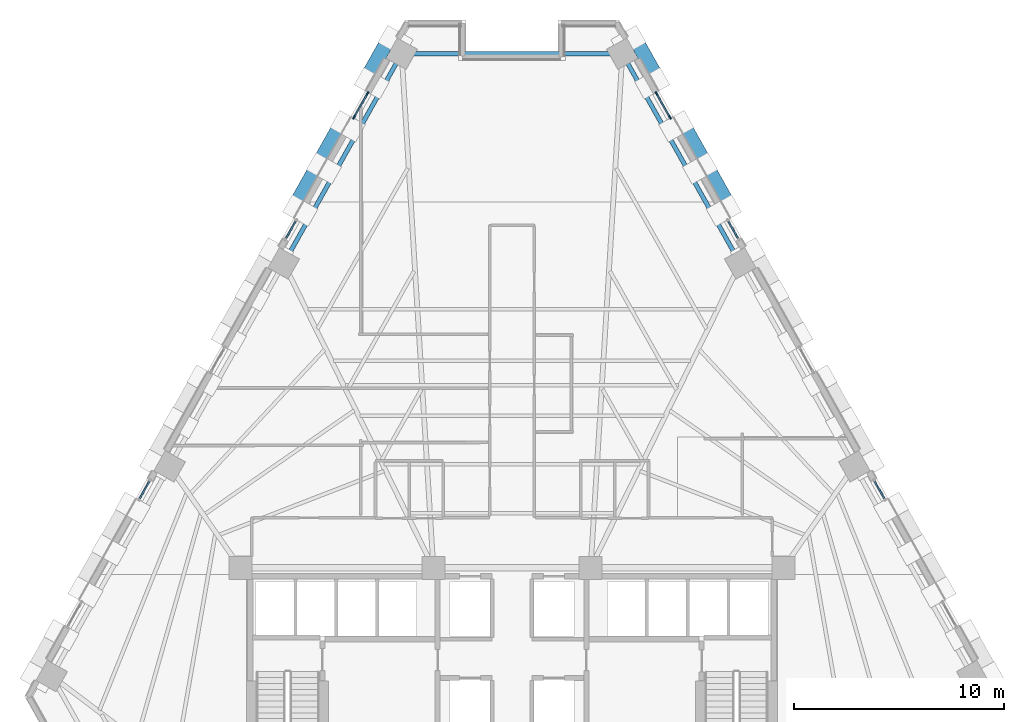
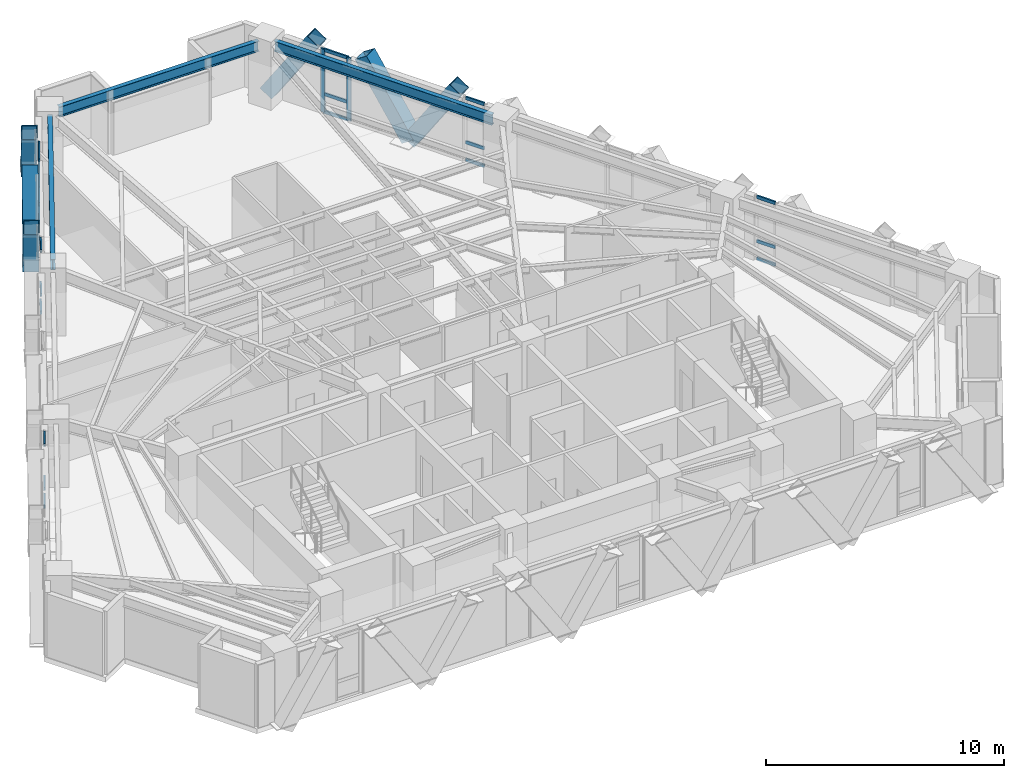
# One storey, part 5 of 13: 28 members, 3 beams, 6 elements without a shape of their own.
"""IFC4 building model written with IfcOpenShell, lengths in metres."""

from ifc_helpers import new_model, si_unit, direction, frame, origin, origin_2d, place, context, subcontext, project, spatial, rectangle, hollow_rectangle, i_section, extrude, material, material_profile, profile_set, type_object, element, aggregate, save


model = new_model("IFC4")

# Units and contexts
model_context = context("Model", 3, precision=1e-05, world=origin(), true_north=direction((0.0, 1.0)))
body_context = subcontext(model_context, "Body", "Model", "MODEL_VIEW")
ifc_project = project(units=[si_unit("LENGTHUNIT", "METRE"), si_unit("AREAUNIT", "SQUARE_METRE"), si_unit("VOLUMEUNIT", "CUBIC_METRE"), si_unit("PLANEANGLEUNIT", "RADIAN"), si_unit("MASSUNIT", "GRAM", prefix="KILO")], contexts=[model_context])

# Site, building, storey
site_placement = place(None, origin())
site = spatial("IfcSite", under=ifc_project, at=site_placement, CompositionType="ELEMENT")
building_placement = place(site_placement, origin())
building = spatial("IfcBuilding", under=site, at=building_placement, Name="Quenlor Broadcast Tower", CompositionType="ELEMENT")
storey_placement = place(building_placement, frame((0.0, 0.0, 98.5)))
storey = spatial("IfcBuildingStorey", under=building, at=storey_placement, Name="L26", CompositionType="ELEMENT", Elevation=98.5)

# Curtain wall, members
ifc_material_1 = material(Name="Architectural Terracotta and Low-E Glazing", Category="masonry")
curtain_wall_type = type_object("IfcCurtainWallType", Name="Unitised Terracotta Curtain Wall System Z2", PredefinedType="NOTDEFINED", material=ifc_material_1)
curtain_wall_1_placement = place(storey_placement, origin())
curtain_wall_1 = element("IfcCurtainWall", 1, at=curtain_wall_1_placement, inside=storey, type_object=curtain_wall_type, Name="L26 Curtain Wall CW2 (L26-NEA-G1)", PredefinedType="NOTDEFINED")
ifc_material_2 = material(Name="Aluminium 6063-T6", Category="aluminium")
ifc_material_profile_1 = material_profile(ifc_material_2, rectangle(XDim=0.074951171875, YDim=0.199951171875, at=origin_2d()))
ifc_profile_set_1 = profile_set([ifc_material_profile_1], Name="Aluminium 6063-T6 MULL75x200")
member_type_1 = type_object("IfcMemberType", Name="CW2 Aluminium Mullion MULL_CW2", PredefinedType="MULLION", material=ifc_profile_set_1)
member_1_placement = place(storey_placement, frame((6.893310546875, 17.81884765625, 0.0), z_axis=(0.0, 0.0, 1.0), x_axis=(0.871583366376, 0.490247320704, 0.0)))
member_1 = element("IfcMember", 2, at=member_1_placement, type_object=member_type_1, Name="CW2 mullion 1", PredefinedType="MULLION", context=body_context, shape_type="SweptSolid", body=[
    extrude(rectangle(XDim=0.074951171875, YDim=0.199951171875, at=origin_2d()), origin(), (0.0, 0.0, 1.0), 3.25),
])
member_2_placement = place(storey_placement, frame((7.525390625, 16.695068359375, 0.0), z_axis=(0.0, 0.0, 1.0), x_axis=(0.871583366376, 0.490247320704, 0.0)))
member_2 = element("IfcMember", 3, at=member_2_placement, type_object=member_type_1, Name="CW2 mullion 2", PredefinedType="MULLION", context=body_context, shape_type="SweptSolid", body=[
    extrude(rectangle(XDim=0.074951171875, YDim=0.199951171875, at=origin_2d()), origin(), (0.0, 0.0, 1.0), 3.25),
])

curtain_wall_2_placement = place(storey_placement, origin())
curtain_wall_2 = element("IfcCurtainWall", 4, at=curtain_wall_2_placement, inside=storey, type_object=curtain_wall_type, Name="L26 Curtain Wall CW2 (L26-NWC-G2)", PredefinedType="NOTDEFINED")
member_3_placement = place(storey_placement, frame((-7.525390625, 16.695068359375, 0.0), z_axis=(0.0, 0.0, 1.0), x_axis=(-0.871583366376, 0.490247320704, 0.0)))
member_3 = element("IfcMember", 5, at=member_3_placement, type_object=member_type_1, Name="CW2 mullion 1", PredefinedType="MULLION", context=body_context, shape_type="SweptSolid", body=[
    extrude(rectangle(XDim=0.074951171875, YDim=0.199951171875, at=origin_2d()), origin(), (0.0, 0.0, 1.0), 3.25),
])
member_4_placement = place(storey_placement, frame((-6.893310546875, 17.81884765625, 0.0), z_axis=(0.0, 0.0, 1.0), x_axis=(-0.871583366376, 0.490247320704, 0.0)))
member_4 = element("IfcMember", 6, at=member_4_placement, type_object=member_type_1, Name="CW2 mullion 2", PredefinedType="MULLION", context=body_context, shape_type="SweptSolid", body=[
    extrude(rectangle(XDim=0.074951171875, YDim=0.199951171875, at=origin_2d()), origin(), (0.0, 0.0, 1.0), 3.25),
])

# Member
ifc_material_3 = material(Name="Aluminium 6063-T6", Category="aluminium")
ifc_material_profile_2 = material_profile(ifc_material_3, rectangle(XDim=0.074951171875, YDim=0.1650390625, at=origin_2d()))
ifc_profile_set_2 = profile_set([ifc_material_profile_2], Name="Aluminium 6063-T6 TRAN75x165")
member_type_2 = type_object("IfcMemberType", Name="CW2 Aluminium Transom TRAN_CW2", PredefinedType="USERDEFINED", material=ifc_profile_set_2)
member_5_placement = place(storey_placement, frame((6.91162109375, 17.7861328125, 0.03759765625), z_axis=(0.490347143438, -0.871527210661, 0.0), x_axis=(0.871527210661, 0.490347143438, 0.0)))
member_5 = element("IfcMember", 7, at=member_5_placement, type_object=member_type_2, Name="CW2 transom 1.1", ObjectType="TRANSOM", PredefinedType="USERDEFINED", context=body_context, shape_type="SweptSolid", body=[
    extrude(rectangle(XDim=0.074951171875, YDim=0.1650390625, at=origin_2d()), origin(), (0.0, 0.0, 1.0), 1.21435546875),
])

member_6_placement = place(storey_placement, frame((6.91162109375, 17.7861328125, 0.949951171875), z_axis=(0.490347143438, -0.871527210661, 0.0), x_axis=(0.871527210661, 0.490347143438, 0.0)))
member_6 = element("IfcMember", 8, at=member_6_placement, type_object=member_type_2, Name="CW2 transom 1.2", ObjectType="TRANSOM", PredefinedType="USERDEFINED", context=body_context, shape_type="SweptSolid", body=[
    extrude(rectangle(XDim=0.074951171875, YDim=0.1650390625, at=origin_2d()), origin(), (0.0, 0.0, 1.0), 1.21435546875),
])

member_7_placement = place(storey_placement, frame((6.91162109375, 17.7861328125, 3.21240234375), z_axis=(0.490347143438, -0.871527210661, 0.0), x_axis=(0.871527210661, 0.490347143438, 0.0)))
member_7 = element("IfcMember", 9, at=member_7_placement, type_object=member_type_2, Name="CW2 transom 1.3", ObjectType="TRANSOM", PredefinedType="USERDEFINED", context=body_context, shape_type="SweptSolid", body=[
    extrude(rectangle(XDim=0.074951171875, YDim=0.1650390625, at=origin_2d()), origin(), (0.0, 0.0, 1.0), 1.21435546875),
])

aggregate(curtain_wall_1, [member_1, member_2, member_5, member_6, member_7])

# Curtain wall, members
curtain_wall_3_placement = place(storey_placement, origin())
curtain_wall_3 = element("IfcCurtainWall", 10, at=curtain_wall_3_placement, inside=storey, type_object=curtain_wall_type, Name="L26 Curtain Wall CW2 (L26-NEA-G2)", PredefinedType="NOTDEFINED")
member_8_placement = place(storey_placement, frame((10.32470703125, 11.718505859375, 0.03759765625), z_axis=(0.490363403455, -0.871518062092, 0.0), x_axis=(0.871518062092, 0.490363403455, 0.0)))
member_8 = element("IfcMember", 11, at=member_8_placement, type_object=member_type_2, Name="CW2 transom 1.1", ObjectType="TRANSOM", PredefinedType="USERDEFINED", context=body_context, shape_type="SweptSolid", body=[
    extrude(rectangle(XDim=0.074951171875, YDim=0.1650390625, at=origin_2d()), origin(), (0.0, 0.0, 1.0), 0.90771484375),
])
member_9_placement = place(storey_placement, frame((10.32470703125, 11.718505859375, 0.949951171875), z_axis=(0.490363403455, -0.871518062092, 0.0), x_axis=(0.871518062092, 0.490363403455, 0.0)))
member_9 = element("IfcMember", 12, at=member_9_placement, type_object=member_type_2, Name="CW2 transom 1.2", ObjectType="TRANSOM", PredefinedType="USERDEFINED", context=body_context, shape_type="SweptSolid", body=[
    extrude(rectangle(XDim=0.074951171875, YDim=0.1650390625, at=origin_2d()), origin(), (0.0, 0.0, 1.0), 0.90771484375),
])
member_10_placement = place(storey_placement, frame((10.32470703125, 11.718505859375, 3.21240234375), z_axis=(0.490363403455, -0.871518062092, 0.0), x_axis=(0.871518062092, 0.490363403455, 0.0)))
member_10 = element("IfcMember", 13, at=member_10_placement, type_object=member_type_2, Name="CW2 transom 1.3", ObjectType="TRANSOM", PredefinedType="USERDEFINED", context=body_context, shape_type="SweptSolid", body=[
    extrude(rectangle(XDim=0.074951171875, YDim=0.1650390625, at=origin_2d()), origin(), (0.0, 0.0, 1.0), 0.90771484375),
])
aggregate(curtain_wall_3, [member_8, member_9, member_10])

curtain_wall_4_placement = place(storey_placement, origin())
curtain_wall_4 = element("IfcCurtainWall", 14, at=curtain_wall_4_placement, inside=storey, type_object=curtain_wall_type, Name="L26 Curtain Wall CW2 (L26-NEC-G1)", PredefinedType="NOTDEFINED")
member_11_placement = place(storey_placement, frame((17.30126953125, -0.684326171875, 0.03759765625), z_axis=(0.490363403455, -0.871518062092, 0.0), x_axis=(0.871518062092, 0.490363403455, 0.0)))
member_11 = element("IfcMember", 15, at=member_11_placement, type_object=member_type_2, Name="CW2 transom 1.1", ObjectType="TRANSOM", PredefinedType="USERDEFINED", context=body_context, shape_type="SweptSolid", body=[
    extrude(rectangle(XDim=0.074951171875, YDim=0.1650390625, at=origin_2d()), origin(), (0.0, 0.0, 1.0), 0.90771484375),
])
member_12_placement = place(storey_placement, frame((17.30126953125, -0.684326171875, 0.949951171875), z_axis=(0.490363403455, -0.871518062092, 0.0), x_axis=(0.871518062092, 0.490363403455, 0.0)))
member_12 = element("IfcMember", 16, at=member_12_placement, type_object=member_type_2, Name="CW2 transom 1.2", ObjectType="TRANSOM", PredefinedType="USERDEFINED", context=body_context, shape_type="SweptSolid", body=[
    extrude(rectangle(XDim=0.074951171875, YDim=0.1650390625, at=origin_2d()), origin(), (0.0, 0.0, 1.0), 0.90771484375),
])
member_13_placement = place(storey_placement, frame((17.30126953125, -0.684326171875, 3.21240234375), z_axis=(0.490363403455, -0.871518062092, 0.0), x_axis=(0.871518062092, 0.490363403455, 0.0)))
member_13 = element("IfcMember", 17, at=member_13_placement, type_object=member_type_2, Name="CW2 transom 1.3", ObjectType="TRANSOM", PredefinedType="USERDEFINED", context=body_context, shape_type="SweptSolid", body=[
    extrude(rectangle(XDim=0.074951171875, YDim=0.1650390625, at=origin_2d()), origin(), (0.0, 0.0, 1.0), 0.90771484375),
])
aggregate(curtain_wall_4, [member_11, member_12, member_13])

curtain_wall_5_placement = place(storey_placement, origin())
curtain_wall_5 = element("IfcCurtainWall", 18, at=curtain_wall_5_placement, inside=storey, type_object=curtain_wall_type, Name="L26 Curtain Wall CW2 (L26-NWA-G2)", PredefinedType="NOTDEFINED")
member_14_placement = place(storey_placement, frame((-17.746337890625, -1.475341796875, 0.03759765625), z_axis=(0.490363403455, 0.871518062092, 0.0), x_axis=(-0.871518062092, 0.490363403455, 0.0)))
member_14 = element("IfcMember", 19, at=member_14_placement, type_object=member_type_2, Name="CW2 transom 1.1", ObjectType="TRANSOM", PredefinedType="USERDEFINED", context=body_context, shape_type="SweptSolid", body=[
    extrude(rectangle(XDim=0.074951171875, YDim=0.1650390625, at=origin_2d()), origin(), (0.0, 0.0, 1.0), 0.90771484375),
])
member_15_placement = place(storey_placement, frame((-17.746337890625, -1.475341796875, 0.949951171875), z_axis=(0.490363403455, 0.871518062092, 0.0), x_axis=(-0.871518062092, 0.490363403455, 0.0)))
member_15 = element("IfcMember", 20, at=member_15_placement, type_object=member_type_2, Name="CW2 transom 1.2", ObjectType="TRANSOM", PredefinedType="USERDEFINED", context=body_context, shape_type="SweptSolid", body=[
    extrude(rectangle(XDim=0.074951171875, YDim=0.1650390625, at=origin_2d()), origin(), (0.0, 0.0, 1.0), 0.90771484375),
])
member_16_placement = place(storey_placement, frame((-17.746337890625, -1.475341796875, 3.21240234375), z_axis=(0.490363403455, 0.871518062092, 0.0), x_axis=(-0.871518062092, 0.490363403455, 0.0)))
member_16 = element("IfcMember", 21, at=member_16_placement, type_object=member_type_2, Name="CW2 transom 1.3", ObjectType="TRANSOM", PredefinedType="USERDEFINED", context=body_context, shape_type="SweptSolid", body=[
    extrude(rectangle(XDim=0.074951171875, YDim=0.1650390625, at=origin_2d()), origin(), (0.0, 0.0, 1.0), 0.90771484375),
])
aggregate(curtain_wall_5, [member_14, member_15, member_16])

curtain_wall_6_placement = place(storey_placement, origin())
curtain_wall_6 = element("IfcCurtainWall", 22, at=curtain_wall_6_placement, inside=storey, type_object=curtain_wall_type, Name="L26 Curtain Wall CW2 (L26-NWC-G1)", PredefinedType="NOTDEFINED")
member_17_placement = place(storey_placement, frame((-10.769775390625, 10.927490234375, 0.03759765625), z_axis=(0.490363403455, 0.871518062092, 0.0), x_axis=(-0.871518062092, 0.490363403455, 0.0)))
member_17 = element("IfcMember", 23, at=member_17_placement, type_object=member_type_2, Name="CW2 transom 1.1", ObjectType="TRANSOM", PredefinedType="USERDEFINED", context=body_context, shape_type="SweptSolid", body=[
    extrude(rectangle(XDim=0.074951171875, YDim=0.1650390625, at=origin_2d()), origin(), (0.0, 0.0, 1.0), 0.90771484375),
])
member_18_placement = place(storey_placement, frame((-10.769775390625, 10.927490234375, 0.949951171875), z_axis=(0.490363403455, 0.871518062092, 0.0), x_axis=(-0.871518062092, 0.490363403455, 0.0)))
member_18 = element("IfcMember", 24, at=member_18_placement, type_object=member_type_2, Name="CW2 transom 1.2", ObjectType="TRANSOM", PredefinedType="USERDEFINED", context=body_context, shape_type="SweptSolid", body=[
    extrude(rectangle(XDim=0.074951171875, YDim=0.1650390625, at=origin_2d()), origin(), (0.0, 0.0, 1.0), 0.90771484375),
])
member_19_placement = place(storey_placement, frame((-10.769775390625, 10.927490234375, 3.21240234375), z_axis=(0.490363403455, 0.871518062092, 0.0), x_axis=(-0.871518062092, 0.490363403455, 0.0)))
member_19 = element("IfcMember", 25, at=member_19_placement, type_object=member_type_2, Name="CW2 transom 1.3", ObjectType="TRANSOM", PredefinedType="USERDEFINED", context=body_context, shape_type="SweptSolid", body=[
    extrude(rectangle(XDim=0.074951171875, YDim=0.1650390625, at=origin_2d()), origin(), (0.0, 0.0, 1.0), 0.90771484375),
])
aggregate(curtain_wall_6, [member_17, member_18, member_19])

# Member
member_20_placement = place(storey_placement, frame((-7.507080078125, 16.727783203125, 0.03759765625), z_axis=(0.490347143438, 0.871527210661, 0.0), x_axis=(-0.871527210661, 0.490347143438, 0.0)))
member_20 = element("IfcMember", 26, at=member_20_placement, type_object=member_type_2, Name="CW2 transom 1.1", ObjectType="TRANSOM", PredefinedType="USERDEFINED", context=body_context, shape_type="SweptSolid", body=[
    extrude(rectangle(XDim=0.074951171875, YDim=0.1650390625, at=origin_2d()), origin(), (0.0, 0.0, 1.0), 1.21435546875),
])

member_21_placement = place(storey_placement, frame((-7.507080078125, 16.727783203125, 0.949951171875), z_axis=(0.490347143438, 0.871527210661, 0.0), x_axis=(-0.871527210661, 0.490347143438, 0.0)))
member_21 = element("IfcMember", 27, at=member_21_placement, type_object=member_type_2, Name="CW2 transom 1.2", ObjectType="TRANSOM", PredefinedType="USERDEFINED", context=body_context, shape_type="SweptSolid", body=[
    extrude(rectangle(XDim=0.074951171875, YDim=0.1650390625, at=origin_2d()), origin(), (0.0, 0.0, 1.0), 1.21435546875),
])

member_22_placement = place(storey_placement, frame((-7.507080078125, 16.727783203125, 3.21240234375), z_axis=(0.490347143438, 0.871527210661, 0.0), x_axis=(-0.871527210661, 0.490347143438, 0.0)))
member_22 = element("IfcMember", 28, at=member_22_placement, type_object=member_type_2, Name="CW2 transom 1.3", ObjectType="TRANSOM", PredefinedType="USERDEFINED", context=body_context, shape_type="SweptSolid", body=[
    extrude(rectangle(XDim=0.074951171875, YDim=0.1650390625, at=origin_2d()), origin(), (0.0, 0.0, 1.0), 1.21435546875),
])

aggregate(curtain_wall_2, [member_3, member_4, member_20, member_21, member_22])

# Members
ifc_material_4 = material(Name="Steel S355", Category="steel")
ifc_material_profile_3 = material_profile(ifc_material_4, hollow_rectangle(XDim=0.679931640625, YDim=0.679931640625, WallThickness=0.030029296875, at=origin_2d()))
ifc_profile_set_3 = profile_set([ifc_material_profile_3], Name="Steel S355 RHS680x680x30")
member_type_3 = type_object("IfcMemberType", Name="Perimeter Diagonal Lattice Brace Z2 Steel S355 RHS680x30", PredefinedType="BRACE", material=ifc_profile_set_3)
for number, where, z_axis, x_axis, name in (
    (29, (5.85400390625, 20.472412109375, -0.1201171875), (0.26858823371, -0.477600411236, 0.836515515636), (0.871623880158, 0.490175286544, 0.0), "L26 Perimeter Diamond Lattice NE-C1S"),
    (30, (9.25341796875, 14.428955078125, -0.1201171875), (-0.268642373731, 0.477592925498, 0.83650240439), (-0.871578380919, -0.490256183964, 0.0), "L26 Perimeter Diamond Lattice NE-C1B"),
    (31, (9.26708984375, 14.40478515625, -0.1201171875), (0.268642373731, -0.477592925498, 0.83650240439), (0.871578380919, 0.490256183964, 0.0), "L26 Perimeter Diamond Lattice NE-C2S"),
    (32, (-9.26708984375, 14.40478515625, -0.1201171875), (-0.268642373731, -0.477592925498, 0.83650240439), (0.871578380919, -0.490256183964, 0.0), "L26 Perimeter Diamond Lattice NW-C4B"),
    (33, (-9.25341796875, 14.428955078125, -0.1201171875), (0.268642373731, 0.477592925498, 0.83650240439), (-0.871578380919, 0.490256183964, 0.0), "L26 Perimeter Diamond Lattice NW-C5S"),
    (34, (-5.85400390625, 20.472412109375, -0.1201171875), (-0.26858823371, -0.477600411236, 0.836515515636), (0.871623880158, -0.490175286544, 0.0), "L26 Perimeter Diamond Lattice NW-C5B"),
):
    element("IfcMember", number, at=place(storey_placement, frame(where, z_axis=z_axis, x_axis=x_axis)), inside=storey, type_object=member_type_3, Name=name, PredefinedType="BRACE", context=body_context, shape_type="SweptSolid", body=[
        extrude(hollow_rectangle(XDim=0.679931640625, YDim=0.679931640625, WallThickness=0.030029296875, at=origin_2d()), origin(), (0.0, 0.0, 1.0), 4.18408203125),
    ])

# Beams
ifc_material_5 = material(Name="Steel S355", Category="steel")
ifc_material_profile_4 = material_profile(ifc_material_5, i_section(OverallWidth=0.208984375, OverallDepth=0.5283203125, WebThickness=0.009521484375, FlangeThickness=0.01318359375, FilletRadius=0.013916015625, at=origin_2d()))
ifc_profile_set_4 = profile_set([ifc_material_profile_4], Name="Steel S355 530UB82.0")
beam_type = type_object("IfcBeamType", Name="Perimeter Spandrel Beam Z2 Steel S355 530UB82.0", PredefinedType="SPANDREL", material=ifc_profile_set_4)
beam_1_placement = place(storey_placement, frame((10.685791015625, 10.076904296875, 2.98583984375), z_axis=(-0.490236213386, 0.871589613916, 0.0), x_axis=(-0.871589613916, -0.490236213386, 0.0)))
element("IfcBeam", 35, at=beam_1_placement, inside=storey, type_object=beam_type, Name="L26 Spandrel Beam NE3-NE4", PredefinedType="SPANDREL", context=body_context, shape_type="SweptSolid", body=[
    extrude(i_section(OverallWidth=0.208984375, OverallDepth=0.5283203125, WebThickness=0.009521484375, FlangeThickness=0.01318359375, FilletRadius=0.013916015625, at=origin_2d()), origin(), (0.0, 0.0, 1.0), 10.65283203125),
])
beam_2_placement = place(storey_placement, frame((4.852294921875, 19.718994140625, 2.98583984375), z_axis=(-1.0, 0.0, 0.0), x_axis=(0.0, -1.0, 0.0)))
element("IfcBeam", 36, at=beam_2_placement, inside=storey, type_object=beam_type, Name="L26 Spandrel Beam NE4-NW1", PredefinedType="SPANDREL", context=body_context, shape_type="SweptSolid", body=[
    extrude(i_section(OverallWidth=0.208984375, OverallDepth=0.5283203125, WebThickness=0.009521484375, FlangeThickness=0.01318359375, FilletRadius=0.013916015625, at=origin_2d()), origin(), (0.0, 0.0, 1.0), 9.70458984375),
])
beam_3_placement = place(storey_placement, frame((-5.46337890625, 19.36181640625, 2.98583984375), z_axis=(-0.490236213386, -0.871589613916, 0.0), x_axis=(0.871589613916, -0.490236213386, 0.0)))
element("IfcBeam", 37, at=beam_3_placement, inside=storey, type_object=beam_type, Name="L26 Spandrel Beam NW1-NW2", PredefinedType="SPANDREL", context=body_context, shape_type="SweptSolid", body=[
    extrude(i_section(OverallWidth=0.208984375, OverallDepth=0.5283203125, WebThickness=0.009521484375, FlangeThickness=0.01318359375, FilletRadius=0.013916015625, at=origin_2d()), origin(), (0.0, 0.0, 1.0), 10.65283203125),
])

save(model, "model.ifc")
